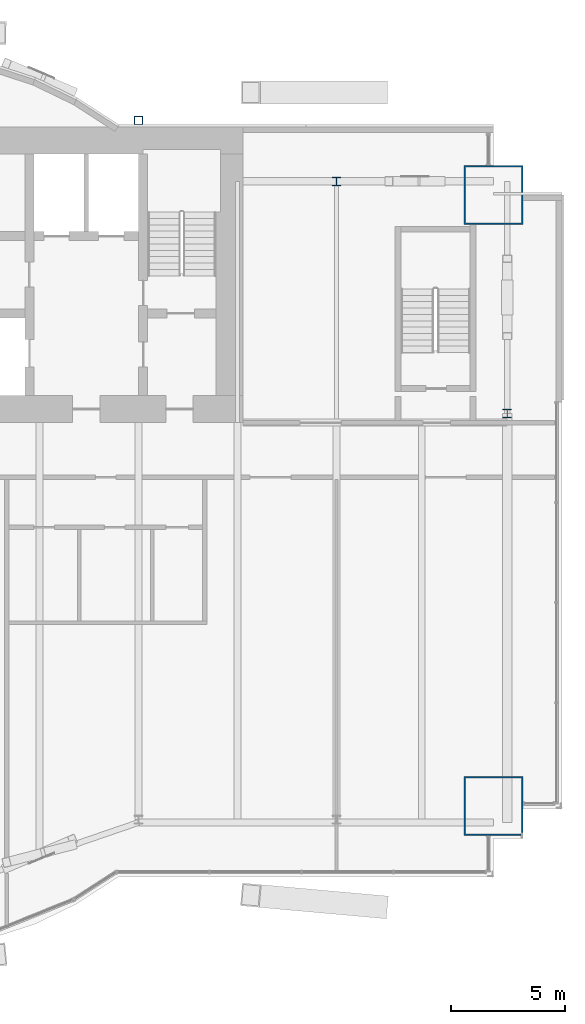
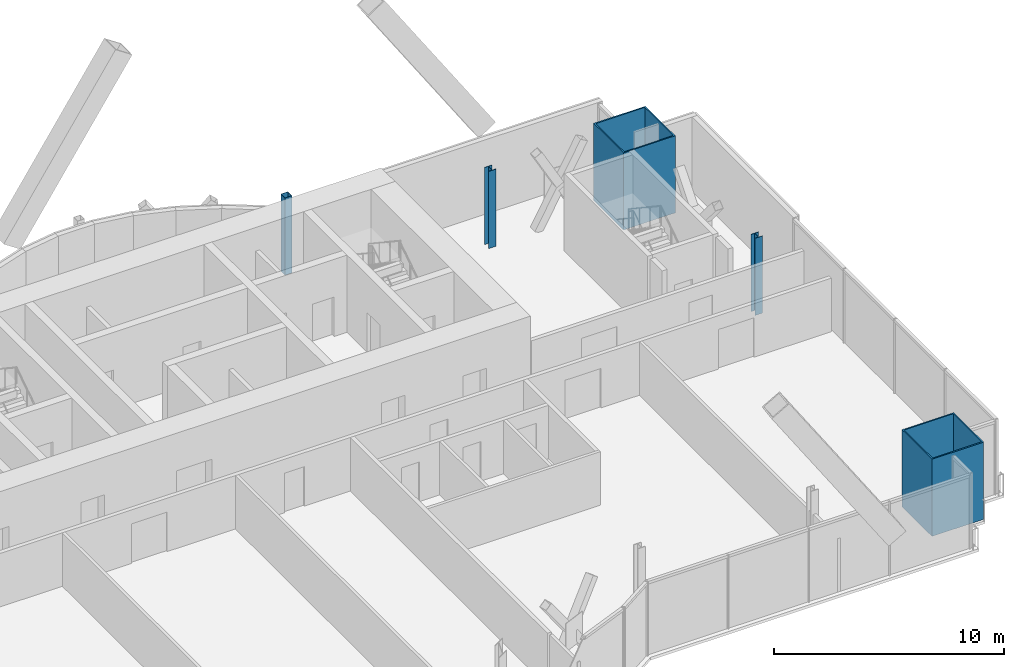
# One storey, part 4 of 21: 5 columns.
"""IFC4 building model written with IfcOpenShell, lengths in metres."""

import ifcopenshell
import ifcopenshell.guid

model = None  # the IFC model being written
_history = None  # IfcOwnerHistory: only IFC2X3 demands one
_inside = {}  # id of a spatial element -> (the spatial element, [elements in it])
_under = {}  # id of a project, library or spatial element -> (it, [spatial elements below it])
_declared = {}  # id of a project -> (the project, [libraries it declares])
_typed = {}  # id of a type object -> (the type object, [elements of that type])
_made_of = {}  # id of a material, layer set ... -> (it, [elements and type objects made of it])


def new_model(schema):
    """Start an empty IFC model of exactly this schema.

    Asked for "IFC4X3", IfcOpenShell would pick the latest addendum, in which some entities
    have other attributes; the version numbers below select the first issue.
    IFC2X3 requires an IfcOwnerHistory on every rooted entity: one is made here for all.
    """
    global model, _history
    if schema == "IFC4X3":
        model = ifcopenshell.file(schema_version=(4, 3, 0, 0))
    else:
        model = ifcopenshell.file(schema=schema)
    _inside.clear()
    _under.clear()
    _declared.clear()
    _typed.clear()
    _made_of.clear()
    _history = None
    if model.schema == "IFC2X3":
        org = make("IfcOrganization", Name="unknown")
        user = make(
            "IfcPersonAndOrganization",
            ThePerson=make("IfcPerson", FamilyName="unknown"),
            TheOrganization=org,
        )
        app = make(
            "IfcApplication",
            ApplicationDeveloper=org,
            Version="unknown",
            ApplicationFullName="unknown",
            ApplicationIdentifier="unknown",
        )
        _history = make(
            "IfcOwnerHistory",
            OwningUser=user,
            OwningApplication=app,
            ChangeAction="ADDED",
            CreationDate=0,
        )
    return model


def make(cls, **values):
    """One entity of the class cls with the attributes given. An attribute that is None is left unset."""
    return model.create_entity(
        cls, **{name: value for name, value in values.items() if value is not None}
    )


def rooted(cls, **values):
    """An entity with a GlobalId (a new one), such as an element, a storey or a relation."""
    return make(cls, GlobalId=ifcopenshell.guid.new(), OwnerHistory=_history, **values)


def si_unit(unit_type, name, prefix=None):
    """IfcSIUnit, for example si_unit("LENGTHUNIT", "METRE", prefix="MILLI")."""
    return make("IfcSIUnit", UnitType=unit_type, Prefix=prefix, Name=name)


def assignment(units):
    """IfcUnitAssignment: the units of a project."""
    return None if units is None else make("IfcUnitAssignment", Units=units)


def point(xyz):
    """IfcCartesianPoint."""
    return None if xyz is None else make("IfcCartesianPoint", Coordinates=xyz)


def direction(xyz):
    """IfcDirection."""
    return None if xyz is None else make("IfcDirection", DirectionRatios=xyz)


def frame(location, z_axis=None, x_axis=None):
    """IfcAxis2Placement3D, a coordinate frame: its origin and axes. An axis left out is left unset."""
    return make(
        "IfcAxis2Placement3D",
        Location=point(location),
        Axis=direction(z_axis),
        RefDirection=direction(x_axis),
    )


def frame_2d(location, x_axis=None):
    """IfcAxis2Placement2D, a coordinate frame in the plane: its origin and x axis."""
    return make(
        "IfcAxis2Placement2D", Location=point(location), RefDirection=direction(x_axis)
    )


def origin():
    """The frame at (0, 0, 0) with its axes left unset."""
    return frame((0.0, 0.0, 0.0))


def origin_2d():
    """The frame at (0, 0) in the plane with its x axis left unset."""
    return frame_2d((0.0, 0.0))


def place(relative_to, where):
    """IfcLocalPlacement: puts the frame where relative to a parent placement (None: the world)."""
    return make(
        "IfcLocalPlacement", PlacementRelTo=relative_to, RelativePlacement=where
    )


def context(
    kind, dimensions, precision=None, world=None, true_north=None, identifier=None
):
    """IfcGeometricRepresentationContext, for example the 3D "Model" context."""
    return make(
        "IfcGeometricRepresentationContext",
        ContextIdentifier=identifier,
        ContextType=kind,
        CoordinateSpaceDimension=dimensions,
        Precision=precision,
        WorldCoordinateSystem=world,
        TrueNorth=true_north,
    )


def subcontext(parent, identifier, kind, view, scale=None):
    """IfcGeometricRepresentationSubContext, for example "Body" below "Model"."""
    return make(
        "IfcGeometricRepresentationSubContext",
        ContextIdentifier=identifier,
        ContextType=kind,
        ParentContext=parent,
        TargetScale=scale,
        TargetView=view,
    )


def project(units=None, contexts=None):
    """IfcProject with its units and contexts."""
    return rooted(
        "IfcProject",
        Name="project",
        RepresentationContexts=contexts,
        UnitsInContext=assignment(units),
    )


def spatial(cls, under=None, at=None, **own):
    """A site, building, storey or space (cls), placed at a placement, below another one or the project."""
    s = rooted(cls, ObjectPlacement=at, **own)
    if under is not None:
        _under.setdefault(under.id(), (under, []))[1].append(s)
    return s


def profile(cls, at=None, kind="AREA", **sizes):
    """A parametric profile (cls). Its sizes go by their IFC names, for example OverallWidth=200.0."""
    return make(cls, ProfileType=kind, Position=at, **sizes)


def hollow_rectangle(**sizes):
    """IfcRectangleHollowProfileDef."""
    return profile("IfcRectangleHollowProfileDef", **sizes)


def i_section(**sizes):
    """IfcIShapeProfileDef."""
    return profile("IfcIShapeProfileDef", **sizes)


def extrude(swept, where, along, depth):
    """IfcExtrudedAreaSolid: the profile swept, set in the frame where, extruded along a direction by depth."""
    return make(
        "IfcExtrudedAreaSolid",
        SweptArea=swept,
        Position=where,
        ExtrudedDirection=direction(along),
        Depth=depth,
    )


def shape(context_of_items, identifier, shape_type, items):
    """IfcShapeRepresentation: the items that make up one representation, for example the "Body"."""
    return make(
        "IfcShapeRepresentation",
        ContextOfItems=context_of_items,
        RepresentationIdentifier=identifier,
        RepresentationType=shape_type,
        Items=items,
    )


def material(Name=None, Category=None):
    """IfcMaterial."""
    return make("IfcMaterial", Name=Name, Category=Category)


def material_profile(
    of_material, cross_section, Name=None, Category=None, Priority=None
):
    """IfcMaterialProfile: a cross section and its material."""
    return make(
        "IfcMaterialProfile",
        Name=Name,
        Material=of_material,
        Profile=cross_section,
        Priority=Priority,
        Category=Category,
    )


def profile_set(profiles, Name=None, composite=None):
    """IfcMaterialProfileSet."""
    return make(
        "IfcMaterialProfileSet",
        Name=Name,
        MaterialProfiles=profiles,
        CompositeProfile=composite,
    )


def made_of(thing, what):
    """Note that an element or type object is made of a material, layer set ...; save() writes the relation."""
    if what is not None:
        _made_of.setdefault(what.id(), (what, []))[1].append(thing)
    return thing


def type_object(cls, material=None, **own):
    """A type object (cls), such as IfcWallType, which elements share."""
    return made_of(rooted(cls, **own), material)


def element(
    cls,
    number,
    at=None,
    inside=None,
    cuts=None,
    type_object=None,
    material=None,
    context=None,
    identifier="Body",
    shape_type=None,
    held_by="IfcProductDefinitionShape",
    body=None,
    shapes=None,
    **own,
):
    """One element of the class cls, such as IfcWall. Its Tag is "e" and its number.

    at: its placement. inside: the storey or other place that contains it. cuts: it is an
    opening in that element (IfcRelVoidsElement). A single representation is given by context,
    identifier, shape_type and body (its items); several are given by shapes. held_by: the class
    of the entity that holds the representations. save() writes the other relations.
    """
    e = rooted(cls, Tag="e%d" % number, ObjectPlacement=at, **own)
    if body is not None:
        shapes = [shape(context, identifier, shape_type, body)]
    if shapes is not None:
        e.Representation = make(held_by, Representations=shapes)
    if inside is not None:
        _inside.setdefault(inside.id(), (inside, []))[1].append(e)
    if cuts is not None:
        rooted(
            "IfcRelVoidsElement", RelatingBuildingElement=cuts, RelatedOpeningElement=e
        )
    if type_object is not None:
        _typed.setdefault(type_object.id(), (type_object, []))[1].append(e)
    return made_of(e, material)


def aggregate(whole, parts):
    """IfcRelAggregates: a whole, such as a stair, and the parts it consists of."""
    return rooted("IfcRelAggregates", RelatingObject=whole, RelatedObjects=parts)


def save(model, path):
    """Write the relations noted so far, then the file.

    IfcRelAggregates (storeys below a building ...), IfcRelContainedInSpatialStructure (elements
    in a storey), IfcRelDefinesByType, IfcRelAssociatesMaterial and IfcRelDeclares: one each for
    every whole, place, type object, material and project.
    """
    for whole, parts in _under.values():
        aggregate(whole, parts)
    for where, things in _inside.values():
        rooted(
            "IfcRelContainedInSpatialStructure",
            RelatedElements=things,
            RelatingStructure=where,
        )
    for kind, things in _typed.values():
        rooted("IfcRelDefinesByType", RelatedObjects=things, RelatingType=kind)
    for what, things in _made_of.values():
        rooted("IfcRelAssociatesMaterial", RelatedObjects=things, RelatingMaterial=what)
    for by, libraries in _declared.values():
        rooted("IfcRelDeclares", RelatingContext=by, RelatedDefinitions=libraries)
    model.write(path)


model = new_model("IFC4")

# Units and contexts
model_context = context("Model", 3, precision=1e-05, world=origin(), true_north=direction((0.0, 1.0)))
body_context = subcontext(model_context, "Body", "Model", "MODEL_VIEW")
ifc_project = project(units=[si_unit("LENGTHUNIT", "METRE"), si_unit("AREAUNIT", "SQUARE_METRE"), si_unit("VOLUMEUNIT", "CUBIC_METRE"), si_unit("PLANEANGLEUNIT", "RADIAN"), si_unit("MASSUNIT", "GRAM", prefix="KILO")], contexts=[model_context])

# Site, building, storey
site_placement = place(None, origin())
site = spatial("IfcSite", under=ifc_project, at=site_placement, CompositionType="ELEMENT")
building_placement = place(site_placement, origin())
building = spatial("IfcBuilding", under=site, at=building_placement, Name="Bicima Exchange Tower", CompositionType="ELEMENT")
storey_placement = place(building_placement, frame((0.0, 0.0, 195.0)))
storey = spatial("IfcBuildingStorey", under=building, at=storey_placement, Name="L43", CompositionType="ELEMENT", Elevation=195.0)

# Columns
ifc_material_1 = material(Name="Steel ASTM A572 Gr 50", Category="steel")
ifc_material_profile_1 = material_profile(ifc_material_1, hollow_rectangle(XDim=2.60009765625, YDim=2.60009765625, WallThickness=0.070068359375, at=origin_2d()))
ifc_profile_set_1 = profile_set([ifc_material_profile_1], Name="Steel ASTM A572 Gr 50")
column_type_1 = type_object("IfcColumnType", Name="Mega column BOX 2600x2600x70", PredefinedType="COLUMN", material=ifc_profile_set_1)
for number, where, z_axis, x_axis, name in (
    (1, (33.0, -29.85009765625, 0.0), (0.0, 0.0, 1.0), (1.0, 0.0, 0.0), "Mega column mega+33.0f"),
    (2, (33.0, -3.0, 0.0), (0.0, 0.0, 1.0), (1.0, 0.0, 0.0), "Mega column mega+33.0r"),
):
    element("IfcColumn", number, at=place(storey_placement, frame(where, z_axis=z_axis, x_axis=x_axis)), inside=storey, type_object=column_type_1, Name=name, PredefinedType="COLUMN", context=body_context, shape_type="SweptSolid", body=[
        extrude(hollow_rectangle(XDim=2.60009765625, YDim=2.60009765625, WallThickness=0.070068359375, at=origin_2d()), origin(), (0.0, 0.0, 1.0), 4.10009765625),
    ])
ifc_material_2 = material(Name="Steel ASTM A992 Gr 50", Category="steel")
ifc_material_profile_2 = material_profile(ifc_material_2, i_section(OverallWidth=0.373291015625, OverallDepth=0.373291015625, WebThickness=0.016357421875, FlangeThickness=0.026123046875, at=origin_2d()))
ifc_profile_set_2 = profile_set([ifc_material_profile_2], Name="Steel ASTM A992 Gr 50")
column_type_2 = type_object("IfcColumnType", Name="Perimeter column W14x132", PredefinedType="COLUMN", material=ifc_profile_set_2)
for number, where, z_axis, x_axis, name in (
    (3, (26.10009765625, -2.39990234375, 0.0), (0.0, 0.0, 1.0), (1.0, 0.0, 0.0), "Perimeter column grav+26.1r"),
    (4, (33.60009765625, -12.60009765625, 0.0), (0.0, 0.0, 1.0), (1.0, 0.0, 0.0), "End column end+33.6e"),
):
    element("IfcColumn", number, at=place(storey_placement, frame(where, z_axis=z_axis, x_axis=x_axis)), inside=storey, type_object=column_type_2, Name=name, PredefinedType="COLUMN", context=body_context, shape_type="SweptSolid", body=[
        extrude(i_section(OverallWidth=0.373291015625, OverallDepth=0.373291015625, WebThickness=0.016357421875, FlangeThickness=0.026123046875, at=origin_2d()), origin(), (0.0, 0.0, 1.0), 4.10009765625),
    ])
ifc_material_profile_3 = material_profile(ifc_material_1, hollow_rectangle(XDim=0.355712890625, YDim=0.355712890625, WallThickness=0.01171875, at=origin_2d()))
ifc_profile_set_3 = profile_set([ifc_material_profile_3], Name="Steel ASTM A572 Gr 50")
column_type_3 = type_object("IfcColumnType", Name="Rear pilaster HSS14x14x1/2", PredefinedType="COLUMN", material=ifc_profile_set_3)
column_placement = place(storey_placement, frame((17.39990234375, 0.278076171875, 0.0), z_axis=(0.0, 0.0, 1.0), x_axis=(1.0, 0.0, 0.0)))
element("IfcColumn", 5, at=column_placement, inside=storey, type_object=column_type_3, Name="Rear pilaster rexo+17.4r", PredefinedType="COLUMN", context=body_context, shape_type="SweptSolid", body=[
    extrude(hollow_rectangle(XDim=0.355712890625, YDim=0.355712890625, WallThickness=0.01171875, at=origin_2d()), origin(), (0.0, 0.0, 1.0), 4.10009765625),
])

save(model, "model.ifc")
